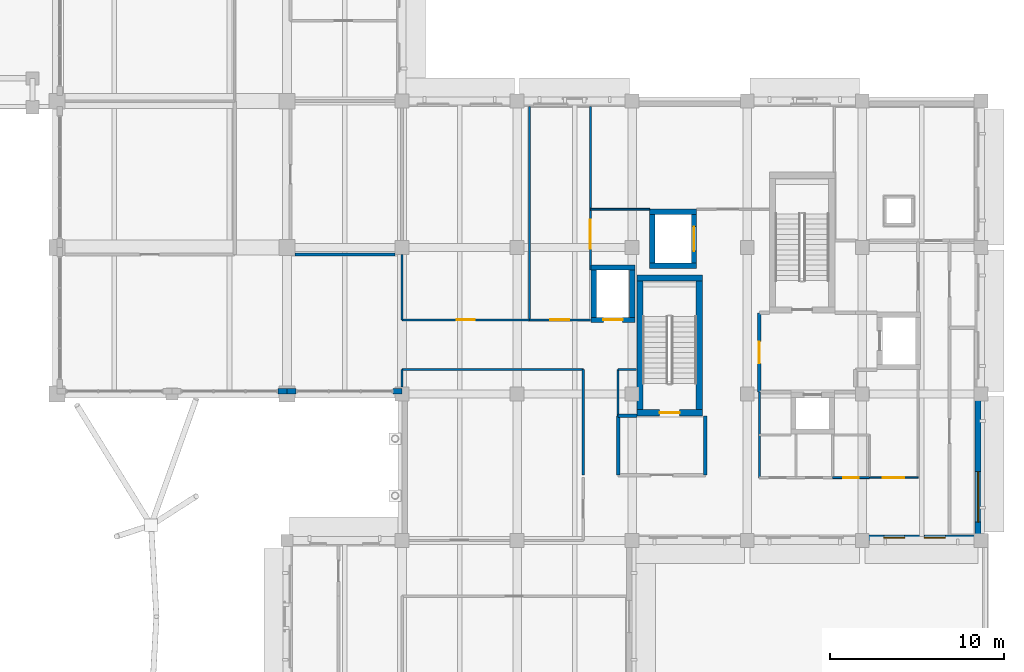
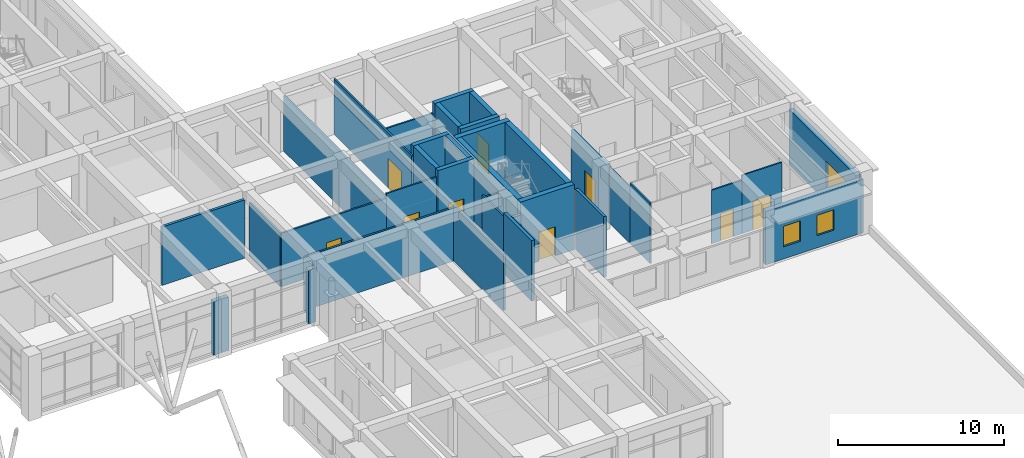
# One storey, part 53 of 75: 37 walls, 9 doors, 3 windows, 12 openings.
"""IFC4 building model written with IfcOpenShell, lengths in metres."""

from ifc_helpers import new_model, si_unit, direction, frame, frame_2d, origin, place, context, subcontext, project, spatial, rectangle, extrude, material, layer, layer_set, type_object, element, fill, save


model = new_model("IFC4")

# Units and contexts
model_context = context("Model", 3, precision=1e-05, world=origin(), true_north=direction((0.0, 1.0)))
body_context = subcontext(model_context, "Body", "Model", "MODEL_VIEW")
ifc_project = project(units=[si_unit("LENGTHUNIT", "METRE"), si_unit("AREAUNIT", "SQUARE_METRE"), si_unit("VOLUMEUNIT", "CUBIC_METRE"), si_unit("PLANEANGLEUNIT", "RADIAN"), si_unit("MASSUNIT", "GRAM", prefix="KILO")], contexts=[model_context])

# Site, building, storey
site_placement = place(None, origin())
site = spatial("IfcSite", under=ifc_project, at=site_placement, CompositionType="ELEMENT")
building_placement = place(site_placement, origin())
building = spatial("IfcBuilding", under=site, at=building_placement, Name="Kolvaren Faculty of Natural Sciences", CompositionType="ELEMENT")
storey_placement = place(building_placement, frame((0.0, 0.0, 5.39990234375)))
storey = spatial("IfcBuildingStorey", under=building, at=storey_placement, Name="L01", CompositionType="ELEMENT", Elevation=5.39990234375)

# Wall, opening, door
ifc_material_1 = material(Name="Concrete C40/50", Category="concrete")
ifc_layer_1 = layer(ifc_material_1, 0.35009765625)
ifc_layer_set_1 = layer_set([ifc_layer_1], Name="Concrete C40/50")
wall_type_1 = type_object("IfcWallType", Name="CoreShearWall_350", PredefinedType="SHEAR", material=ifc_layer_set_1)
wall_1_placement = place(storey_placement, frame((152.27490234375, 66.324951171875, 0.0), z_axis=(0.0, 0.0, 1.0), x_axis=(1.0, 0.0, 0.0)))
wall_1 = element("IfcWall", 1, at=wall_1_placement, inside=storey, type_object=wall_type_1, Name="L01 CORE-C2 stair shear wall S", PredefinedType="SHEAR", context=body_context, shape_type="SweptSolid", body=[
    extrude(rectangle(XDim=3.75, YDim=0.35009765625, at=frame_2d((1.875, 0.0))), origin(), (0.0, 0.0, 1.0), 4.800048828125),
])
opening_1_placement = place(wall_1_placement, frame((1.300048828125, 0.0, 0.0)))
opening_1 = element("IfcOpeningElement", 2, at=opening_1_placement, cuts=wall_1, Name="Opening FD90", PredefinedType="OPENING", context=body_context, shape_type="SweptSolid", body=[
    extrude(rectangle(XDim=1.14990234375, YDim=2.14990234375, at=frame_2d((0.574951171875, 1.074951171875))), frame((0.0, 0.18505859375, 0.0), z_axis=(0.0, -1.0, 0.0), x_axis=(1.0, 0.0, 0.0)), (0.0, 0.0, 1.0), 0.3701171875),
])
ifc_material_2 = material(Name="Fire-rated solid-core hardwood door leaf in steel frame", Category="steel")
door_type_1 = type_object("IfcDoorType", Name="StairCoreFireDoor_1150x2150", OperationType="NOTDEFINED", PredefinedType="DOOR", material=ifc_material_2)
door_1_placement = place(opening_1_placement, origin())
door_1 = element("IfcDoor", 3, at=door_1_placement, inside=storey, type_object=door_type_1, Name="D-ST-ST-2-L01", OperationType="SINGLE_SWING_LEFT", OverallHeight=2.14990234375, OverallWidth=1.14990234375, PredefinedType="DOOR", context=body_context, shape_type="SweptSolid", body=[
    extrude(rectangle(XDim=1.14990234375, YDim=2.14990234375, at=frame_2d((0.574951171875, 1.074951171875))), frame((0.0, 0.02490234375, 0.0), z_axis=(0.0, -1.0, 0.0), x_axis=(1.0, 0.0, 0.0)), (0.0, 0.0, 1.0), 0.050048828125),
])
fill(opening_1, door_1)

# Walls
wall_2_placement = place(storey_placement, frame((152.27490234375, 74.050048828125, 0.0), z_axis=(0.0, 0.0, 1.0), x_axis=(1.0, 0.0, 0.0)))
element("IfcWall", 4, at=wall_2_placement, inside=storey, type_object=wall_type_1, Name="L01 CORE-C2 stair shear wall N", PredefinedType="SHEAR", context=body_context, shape_type="SweptSolid", body=[
    extrude(rectangle(XDim=3.75, YDim=0.35009765625, at=frame_2d((1.875, 0.0))), origin(), (0.0, 0.0, 1.0), 4.800048828125),
])
for number, where, z_axis, x_axis, name in (
    (5, (152.449951171875, 66.5, 0.0), (0.0, 0.0, 1.0), (0.0, 1.0, 0.0), "L01 CORE-C2 stair shear wall W"),
    (6, (155.85009765625, 66.5, 0.0), (0.0, 0.0, 1.0), (0.0, 1.0, 0.0), "L01 CORE-C2 stair shear wall E"),
):
    element("IfcWall", number, at=place(storey_placement, frame(where, z_axis=z_axis, x_axis=x_axis)), inside=storey, type_object=wall_type_1, Name=name, PredefinedType="SHEAR", context=body_context, shape_type="SweptSolid", body=[
        extrude(rectangle(XDim=7.375, YDim=0.35009765625, at=frame_2d((3.6875, 0.0))), origin(), (0.0, 0.0, 1.0), 4.800048828125),
    ])

# Wall, opening, door
ifc_material_3 = material(Name="Acoustic mineral-wool insulated gypsum partition")
ifc_layer_2 = layer(ifc_material_3, 0.094970703125)
ifc_layer_set_2 = layer_set([ifc_layer_2], Name="Acoustic mineral-wool insulated gypsum partition")
wall_type_2 = type_object("IfcWallType", Name="CubiclePartition_095", PredefinedType="PARTITIONING", material=ifc_layer_set_2)
wall_3_placement = place(storey_placement, frame((168.39990234375, 62.60009765625, 0.0), z_axis=(0.0, 0.0, 1.0), x_axis=(-1.0, 0.0, 0.0)))
wall_3 = element("IfcWall", 7, at=wall_3_placement, inside=storey, type_object=wall_type_2, Name="L01 interior partition PW-095", PredefinedType="PARTITIONING", context=body_context, shape_type="SweptSolid", body=[
    extrude(rectangle(XDim=2.7998046875, YDim=0.094970703125, at=frame_2d((1.39990234375, 0.0))), origin(), (0.0, 0.0, 1.0), 4.28515625),
])
opening_2_placement = place(wall_3_placement, frame((0.780029296875, 0.0, 0.0)))
opening_2 = element("IfcOpeningElement", 8, at=opening_2_placement, cuts=wall_3, Name="Opening ID-25", PredefinedType="OPENING", context=body_context, shape_type="SweptSolid", body=[
    extrude(rectangle(XDim=1.239990234375, YDim=2.139892578125, at=frame_2d((0.6201171875, 1.06982421875))), frame((0.0, 0.057373046875, 0.0), z_axis=(0.0, -1.0, 0.0), x_axis=(1.0, 0.0, 0.0)), (0.0, 0.0, 1.0), 0.114990234375),
])
ifc_material_4 = material(Name="Solid-core hardwood veneer door leaf in steel frame", Category="steel")
door_type_2 = type_object("IfcDoorType", Name="InteriorRoomDoor_1240x2140", OperationType="NOTDEFINED", PredefinedType="DOOR", material=ifc_material_4)
door_2_placement = place(opening_2_placement, origin())
door_2 = element("IfcDoor", 9, at=door_2_placement, inside=storey, type_object=door_type_2, Name="D-L01-0161", OperationType="SINGLE_SWING_LEFT", OverallHeight=2.139892578125, OverallWidth=1.239990234375, PredefinedType="DOOR", context=body_context, shape_type="SweptSolid", body=[
    extrude(rectangle(XDim=1.239990234375, YDim=2.139892578125, at=frame_2d((0.6201171875, 1.06982421875))), frame((0.0, 0.02490234375, 0.0), z_axis=(0.0, -1.0, 0.0), x_axis=(1.0, 0.0, 0.0)), (0.0, 0.0, 1.0), 0.050048828125),
])
fill(opening_2, door_2)

# Walls
wall_4_placement = place(storey_placement, frame((159.300048828125, 65.050048828125, 0.0), z_axis=(0.0, 0.0, 1.0), x_axis=(0.0, 1.0, 0.0)))
element("IfcWall", 10, at=wall_4_placement, inside=storey, type_object=wall_type_2, Name="L01 interior partition PW-095", PredefinedType="PARTITIONING", context=body_context, shape_type="SweptSolid", body=[
    extrude(rectangle(XDim=2.449951171875, YDim=0.094970703125, at=frame_2d((1.22509765625, 0.0))), origin(), (0.0, 0.0, 1.0), 4.135009765625),
])
ifc_material_5 = material(Name="Sandstone-faced insulated cavity masonry", Category="masonry")
ifc_layer_3 = layer(ifc_material_5, 0.320068359375)
ifc_layer_set_3 = layer_set([ifc_layer_3], Name="Sandstone-faced insulated cavity masonry")
wall_type_3 = type_object("IfcWallType", Name="ExteriorCavityWall_320", PredefinedType="STANDARD", material=ifc_layer_set_3)
for number, where, z_axis, x_axis, name in (
    (11, (138.800048828125, 67.56005859375, 0.0), (0.0, 0.0, 1.0), (-1.0, 0.0, 0.0), "L01 curtain-wall pier stub 187"),
    (12, (132.719970703125, 67.56005859375, 0.0), (0.0, 0.0, 1.0), (-1.0, 0.0, 0.0), "L01 curtain-wall pier stub 188"),
    (13, (132.199951171875, 67.56005859375, 0.0), (0.0, 0.0, 1.0), (-1.0, 0.0, 0.0), "L01 curtain-wall pier stub 189"),
):
    element("IfcWall", number, at=place(storey_placement, frame(where, z_axis=z_axis, x_axis=x_axis)), inside=storey, type_object=wall_type_3, Name=name, PredefinedType="STANDARD", context=body_context, shape_type="SweptSolid", body=[
        extrude(rectangle(XDim=0.52001953125, YDim=0.320068359375, at=frame_2d((0.260009765625, 0.0))), origin(), (0.0, 0.0, 1.0), 3.93505859375),
    ])

# Wall, opening, window
wall_5_placement = place(storey_placement, frame((171.840087890625, 67.39990234375, 0.0), z_axis=(0.0, 0.0, 1.0), x_axis=(0.0, -1.0, 0.0)))
wall_5 = element("IfcWall", 14, at=wall_5_placement, inside=storey, type_object=wall_type_3, Name="L01 exterior masonry wall EW-320 (218)", PredefinedType="STANDARD", context=body_context, shape_type="SweptSolid", body=[
    extrude(rectangle(XDim=8.079833984375, YDim=0.320068359375, at=frame_2d((4.0400390625, 0.0))), origin(), (0.0, 0.0, 1.0), 4.085205078125),
])
opening_3_placement = place(wall_5_placement, frame((4.448486328125, 0.0, 0.75)))
opening_3 = element("IfcOpeningElement", 15, at=opening_3_placement, cuts=wall_5, Name="Opening WIN-12", PredefinedType="OPENING", context=body_context, shape_type="SweptSolid", body=[
    extrude(rectangle(XDim=2.89990234375, YDim=2.199951171875, at=frame_2d((1.449951171875, 1.10009765625))), frame((0.0, 0.169921875, 0.0), z_axis=(0.0, -1.0, 0.0), x_axis=(1.0, 0.0, 0.0)), (0.0, 0.0, 1.0), 0.340087890625),
])
ifc_material_6 = material(Name="Double low-E solar control insulated glazing", Category="glass")
window_type_1 = type_object("IfcWindowType", Name="AluWindow_WIN12_2900x2200", PartitioningType="SINGLE_PANEL", PredefinedType="WINDOW", material=ifc_material_6)
window_1_placement = place(opening_3_placement, origin())
window_1 = element("IfcWindow", 16, at=window_1_placement, inside=storey, type_object=window_type_1, Name="WIN-L01-0189", OverallHeight=2.199951171875, OverallWidth=2.89990234375, PartitioningType="SINGLE_PANEL", PredefinedType="WINDOW", context=body_context, shape_type="SweptSolid", body=[
    extrude(rectangle(XDim=2.89990234375, YDim=2.199951171875, at=frame_2d((1.449951171875, 1.10009765625))), frame((0.0, 0.030029296875, 0.0), z_axis=(0.0, -1.0, 0.0), x_axis=(1.0, 0.0, 0.0)), (0.0, 0.0, 1.0), 0.06005859375),
])
fill(opening_3, window_1)

# Wall, openings, windows
wall_6_placement = place(storey_placement, frame((172.0, 59.159912109375, 0.0), z_axis=(0.0, 0.0, 1.0), x_axis=(-1.0, 0.0, 0.0)))
wall_6 = element("IfcWall", 17, at=wall_6_placement, inside=storey, type_object=wall_type_3, Name="L01 exterior masonry wall EW-320 (219)", PredefinedType="STANDARD", context=body_context, shape_type="SweptSolid", body=[
    extrude(rectangle(XDim=6.800048828125, YDim=0.320068359375, at=frame_2d((3.39990234375, 0.0))), origin(), (0.0, 0.0, 1.0), 3.93505859375),
])
opening_4_placement = place(wall_6_placement, frame((2.0400390625, 0.0, 0.89990234375)))
opening_4 = element("IfcOpeningElement", 18, at=opening_4_placement, cuts=wall_6, Name="Opening WIN-13", PredefinedType="OPENING", context=body_context, shape_type="SweptSolid", body=[
    extrude(rectangle(XDim=1.199951171875, YDim=1.5, at=frame_2d((0.60009765625, 0.75))), frame((0.0, 0.169921875, 0.0), z_axis=(0.0, -1.0, 0.0), x_axis=(1.0, 0.0, 0.0)), (0.0, 0.0, 1.0), 0.340087890625),
])
opening_5_placement = place(wall_6_placement, frame((4.364013671875, 0.0, 0.89990234375)))
opening_5 = element("IfcOpeningElement", 19, at=opening_5_placement, cuts=wall_6, Name="Opening WIN-13", PredefinedType="OPENING", context=body_context, shape_type="SweptSolid", body=[
    extrude(rectangle(XDim=1.199951171875, YDim=1.5, at=frame_2d((0.60009765625, 0.75))), frame((0.0, 0.169921875, 0.0), z_axis=(0.0, -1.0, 0.0), x_axis=(1.0, 0.0, 0.0)), (0.0, 0.0, 1.0), 0.340087890625),
])
window_type_2 = type_object("IfcWindowType", Name="AluWindow_WIN13_1200x1500", PartitioningType="SINGLE_PANEL", PredefinedType="WINDOW", material=ifc_material_6)
window_2_placement = place(opening_4_placement, origin())
window_2 = element("IfcWindow", 20, at=window_2_placement, inside=storey, type_object=window_type_2, Name="WIN-L01-0190", OverallHeight=1.5, OverallWidth=1.199951171875, PartitioningType="SINGLE_PANEL", PredefinedType="WINDOW", context=body_context, shape_type="SweptSolid", body=[
    extrude(rectangle(XDim=1.199951171875, YDim=1.5, at=frame_2d((0.60009765625, 0.75))), frame((0.0, 0.030029296875, 0.0), z_axis=(0.0, -1.0, 0.0), x_axis=(1.0, 0.0, 0.0)), (0.0, 0.0, 1.0), 0.06005859375),
])
fill(opening_4, window_2)
window_3_placement = place(opening_5_placement, origin())
window_3 = element("IfcWindow", 21, at=window_3_placement, inside=storey, type_object=window_type_2, Name="WIN-L01-0191", OverallHeight=1.5, OverallWidth=1.199951171875, PartitioningType="SINGLE_PANEL", PredefinedType="WINDOW", context=body_context, shape_type="SweptSolid", body=[
    extrude(rectangle(XDim=1.199951171875, YDim=1.5, at=frame_2d((0.60009765625, 0.75))), frame((0.0, 0.030029296875, 0.0), z_axis=(0.0, -1.0, 0.0), x_axis=(1.0, 0.0, 0.0)), (0.0, 0.0, 1.0), 0.06005859375),
])
fill(opening_5, window_3)

# Wall, opening, door
ifc_material_7 = material(Name="Autoclaved aerated fire-rated masonry blockwork", Category="masonry")
ifc_layer_4 = layer(ifc_material_7, 0.199951171875)
ifc_layer_set_4 = layer_set([ifc_layer_4], Name="Autoclaved aerated fire-rated masonry blockwork")
wall_type_4 = type_object("IfcWallType", Name="FireLobbyWall_200", PredefinedType="PARTITIONING", material=ifc_layer_set_4)
wall_7_placement = place(storey_placement, frame((159.300048828125, 67.5, 0.0), z_axis=(0.0, 0.0, 1.0), x_axis=(0.0, 1.0, 0.0)))
wall_7 = element("IfcWall", 22, at=wall_7_placement, inside=storey, type_object=wall_type_4, Name="L01 interior partition FW-200", PredefinedType="PARTITIONING", context=body_context, shape_type="SweptSolid", body=[
    extrude(rectangle(XDim=4.550048828125, YDim=0.199951171875, at=frame_2d((2.27490234375, 0.0))), origin(), (0.0, 0.0, 1.0), 4.135009765625),
])
opening_6_placement = place(wall_7_placement, frame((1.64990234375, 0.0, 0.0)))
opening_6 = element("IfcOpeningElement", 23, at=opening_6_placement, cuts=wall_7, Name="Opening FD60", PredefinedType="OPENING", context=body_context, shape_type="SweptSolid", body=[
    extrude(rectangle(XDim=1.25, YDim=2.14990234375, at=frame_2d((0.625, 1.074951171875))), frame((0.0, 0.10986328125, 0.0), z_axis=(0.0, -1.0, 0.0), x_axis=(1.0, 0.0, 0.0)), (0.0, 0.0, 1.0), 0.219970703125),
])
door_type_3 = type_object("IfcDoorType", Name="RescueLobbyFireDoor_1250x2150", OperationType="NOTDEFINED", PredefinedType="DOOR", material=ifc_material_2)
door_3_placement = place(opening_6_placement, origin())
door_3 = element("IfcDoor", 24, at=door_3_placement, inside=storey, type_object=door_type_3, Name="D-L01-0103", OperationType="SINGLE_SWING_LEFT", OverallHeight=2.14990234375, OverallWidth=1.25, PredefinedType="DOOR", context=body_context, shape_type="SweptSolid", body=[
    extrude(rectangle(XDim=1.25, YDim=2.14990234375, at=frame_2d((0.625, 1.074951171875))), frame((0.0, 0.02490234375, 0.0), z_axis=(0.0, -1.0, 0.0), x_axis=(1.0, 0.0, 0.0)), (0.0, 0.0, 1.0), 0.050048828125),
])
fill(opening_6, door_3)

# Walls
wall_8_placement = place(storey_placement, frame((151.199951171875, 66.14990234375, 0.0), z_axis=(0.0, 0.0, 1.0), x_axis=(1.0, 0.0, 0.0)))
element("IfcWall", 25, at=wall_8_placement, inside=storey, type_object=wall_type_4, Name="L01 interior partition FW-200", PredefinedType="PARTITIONING", context=body_context, shape_type="SweptSolid", body=[
    extrude(rectangle(XDim=1.074951171875, YDim=0.199951171875, at=frame_2d((0.53759765625, 0.0))), origin(), (0.0, 0.0, 1.0), 3.93505859375),
])
for number, where, z_axis, x_axis, name in (
    (26, (156.199951171875, 66.14990234375, 0.0), (0.0, 0.0, 1.0), (0.0, -1.0, 0.0), "L01 interior partition FW-200"),
    (27, (151.199951171875, 62.75, 0.0), (0.0, 0.0, 1.0), (0.0, 1.0, 0.0), "L01 interior partition FW-200"),
):
    element("IfcWall", number, at=place(storey_placement, frame(where, z_axis=z_axis, x_axis=x_axis)), inside=storey, type_object=wall_type_4, Name=name, PredefinedType="PARTITIONING", context=body_context, shape_type="SweptSolid", body=[
        extrude(rectangle(XDim=3.39990234375, YDim=0.199951171875, at=frame_2d((1.699951171875, 0.0))), origin(), (0.0, 0.0, 1.0), 4.445068359375),
    ])
ifc_layer_5 = layer(ifc_material_3, 0.179931640625)
ifc_layer_set_5 = layer_set([ifc_layer_5], Name="Acoustic mineral-wool insulated gypsum partition")
wall_type_5 = type_object("IfcWallType", Name="LabPartitionWall_180", PredefinedType="PARTITIONING", material=ifc_layer_set_5)
wall_9_placement = place(storey_placement, frame((138.39990234375, 75.39990234375, 0.0), z_axis=(0.0, 0.0, 1.0), x_axis=(-1.0, 0.0, 0.0)))
element("IfcWall", 28, at=wall_9_placement, inside=storey, type_object=wall_type_5, Name="L01 interior partition PW-180", PredefinedType="PARTITIONING", context=body_context, shape_type="SweptSolid", body=[
    extrude(rectangle(XDim=5.75, YDim=0.179931640625, at=frame_2d((2.875, 0.0))), origin(), (0.0, 0.0, 1.0), 4.28515625),
])
ifc_layer_6 = layer(ifc_material_3, 0.1298828125)
ifc_layer_set_6 = layer_set([ifc_layer_6], Name="Acoustic mineral-wool insulated gypsum partition")
wall_type_6 = type_object("IfcWallType", Name="OfficePartitionWall_130", PredefinedType="PARTITIONING", material=ifc_layer_set_6)
wall_10_placement = place(storey_placement, frame((149.199951171875, 68.800048828125, 0.0), z_axis=(0.0, 0.0, 1.0), x_axis=(0.0, -1.0, 0.0)))
element("IfcWall", 29, at=wall_10_placement, inside=storey, type_object=wall_type_6, Name="L01 interior partition PW-130", PredefinedType="PARTITIONING", context=body_context, shape_type="SweptSolid", body=[
    extrude(rectangle(XDim=6.050048828125, YDim=0.1298828125, at=frame_2d((3.02490234375, 0.0))), origin(), (0.0, 0.0, 1.0), 4.135009765625),
])
wall_11_placement = place(storey_placement, frame((138.800048828125, 67.800048828125, 0.0), z_axis=(0.0, 0.0, 1.0), x_axis=(0.0, 1.0, 0.0)))
element("IfcWall", 30, at=wall_11_placement, inside=storey, type_object=wall_type_6, Name="L01 interior partition PW-130", PredefinedType="PARTITIONING", context=body_context, shape_type="SweptSolid", body=[
    extrude(rectangle(XDim=1.0, YDim=0.1298828125, at=frame_2d((0.5, 0.0))), origin(), (0.0, 0.0, 1.0), 3.93505859375),
])
wall_12_placement = place(storey_placement, frame((138.800048828125, 68.800048828125, 0.0), z_axis=(0.0, 0.0, 1.0), x_axis=(1.0, 0.0, 0.0)))
element("IfcWall", 31, at=wall_12_placement, inside=storey, type_object=wall_type_6, Name="L01 interior partition PW-130", PredefinedType="PARTITIONING", context=body_context, shape_type="SweptSolid", body=[
    extrude(rectangle(XDim=10.39990234375, YDim=0.1298828125, at=frame_2d((5.199951171875, 0.0))), origin(), (0.0, 0.0, 1.0), 3.93505859375),
])

# Wall, opening, door
ifc_layer_7 = layer(ifc_material_1, 0.300048828125)
ifc_layer_set_7 = layer_set([ifc_layer_7], Name="Concrete C40/50")
wall_type_7 = type_object("IfcWallType", Name="ShaftShearWall_300", PredefinedType="SHEAR", material=ifc_layer_set_7)
wall_13_placement = place(storey_placement, frame((149.64990234375, 71.64990234375, 0.0), z_axis=(0.0, 0.0, 1.0), x_axis=(1.0, 0.0, 0.0)))
wall_13 = element("IfcWall", 32, at=wall_13_placement, inside=storey, type_object=wall_type_7, Name="L01 lift FL-2 shaft wall S", PredefinedType="SHEAR", context=body_context, shape_type="SweptSolid", body=[
    extrude(rectangle(XDim=2.5, YDim=0.300048828125, at=frame_2d((1.25, 0.0))), origin(), (0.0, 0.0, 1.0), 4.800048828125),
])
opening_7_placement = place(wall_13_placement, frame((0.699951171875, 0.0, 0.0)))
opening_7 = element("IfcOpeningElement", 33, at=opening_7_placement, cuts=wall_13, Name="Opening LD-01", PredefinedType="OPENING", context=body_context, shape_type="SweptSolid", body=[
    extrude(rectangle(XDim=1.10009765625, YDim=2.10009765625, at=frame_2d((0.550048828125, 1.050048828125))), frame((0.0, 0.159912109375, 0.0), z_axis=(0.0, -1.0, 0.0), x_axis=(1.0, 0.0, 0.0)), (0.0, 0.0, 1.0), 0.320068359375),
])
ifc_material_8 = material(Name="Brushed stainless steel lift car and sliding door assembly", Category="steel")
door_type_4 = type_object("IfcDoorType", Name="LiftLandingSliding_1100x2100", OperationType="DOUBLE_DOOR_SLIDING", PredefinedType="DOOR", material=ifc_material_8)
door_4_placement = place(opening_7_placement, origin())
door_4 = element("IfcDoor", 34, at=door_4_placement, inside=storey, type_object=door_type_4, Name="D-LIFT-FL-2-L01", OperationType="DOUBLE_DOOR_SLIDING", OverallHeight=2.10009765625, OverallWidth=1.10009765625, PredefinedType="DOOR", context=body_context, shape_type="SweptSolid", body=[
    extrude(rectangle(XDim=1.10009765625, YDim=2.10009765625, at=frame_2d((0.550048828125, 1.050048828125))), frame((0.0, 0.02490234375, 0.0), z_axis=(0.0, -1.0, 0.0), x_axis=(1.0, 0.0, 0.0)), (0.0, 0.0, 1.0), 0.050048828125),
])
fill(opening_7, door_4)

# Walls
wall_14_placement = place(storey_placement, frame((149.64990234375, 74.64990234375, 0.0), z_axis=(0.0, 0.0, 1.0), x_axis=(1.0, 0.0, 0.0)))
element("IfcWall", 35, at=wall_14_placement, inside=storey, type_object=wall_type_7, Name="L01 lift FL-2 shaft wall N", PredefinedType="SHEAR", context=body_context, shape_type="SweptSolid", body=[
    extrude(rectangle(XDim=2.5, YDim=0.300048828125, at=frame_2d((1.25, 0.0))), origin(), (0.0, 0.0, 1.0), 4.800048828125),
])
for number, where, z_axis, x_axis, name in (
    (36, (149.800048828125, 71.800048828125, 0.0), (0.0, 0.0, 1.0), (0.0, 1.0, 0.0), "L01 lift FL-2 shaft wall W"),
    (37, (152.0, 71.800048828125, 0.0), (0.0, 0.0, 1.0), (0.0, 1.0, 0.0), "L01 lift FL-2 shaft wall E"),
    (38, (153.0, 74.75, 0.0), (0.0, 0.0, 1.0), (1.0, 0.0, 0.0), "L01 lift GL-2 shaft wall S"),
    (39, (153.0, 77.85009765625, 0.0), (0.0, 0.0, 1.0), (1.0, 0.0, 0.0), "L01 lift GL-2 shaft wall N"),
):
    element("IfcWall", number, at=place(storey_placement, frame(where, z_axis=z_axis, x_axis=x_axis)), inside=storey, type_object=wall_type_7, Name=name, PredefinedType="SHEAR", context=body_context, shape_type="SweptSolid", body=[
        extrude(rectangle(XDim=2.699951171875, YDim=0.300048828125, at=frame_2d((1.35009765625, 0.0))), origin(), (0.0, 0.0, 1.0), 4.800048828125),
    ])
wall_15_placement = place(storey_placement, frame((153.14990234375, 74.89990234375, 0.0), z_axis=(0.0, 0.0, 1.0), x_axis=(0.0, 1.0, 0.0)))
element("IfcWall", 40, at=wall_15_placement, inside=storey, type_object=wall_type_7, Name="L01 lift GL-2 shaft wall W", PredefinedType="SHEAR", context=body_context, shape_type="SweptSolid", body=[
    extrude(rectangle(XDim=2.800048828125, YDim=0.300048828125, at=frame_2d((1.39990234375, 0.0))), origin(), (0.0, 0.0, 1.0), 4.800048828125),
])

# Wall, opening, door
wall_16_placement = place(storey_placement, frame((155.550048828125, 74.89990234375, 0.0), z_axis=(0.0, 0.0, 1.0), x_axis=(0.0, 1.0, 0.0)))
wall_16 = element("IfcWall", 41, at=wall_16_placement, inside=storey, type_object=wall_type_7, Name="L01 lift GL-2 shaft wall E", PredefinedType="SHEAR", context=body_context, shape_type="SweptSolid", body=[
    extrude(rectangle(XDim=2.800048828125, YDim=0.300048828125, at=frame_2d((1.39990234375, 0.0))), origin(), (0.0, 0.0, 1.0), 4.800048828125),
])
opening_8_placement = place(wall_16_placement, frame((0.699951171875, 0.0, 0.0)))
opening_8 = element("IfcOpeningElement", 42, at=opening_8_placement, cuts=wall_16, Name="Opening LD-03", PredefinedType="OPENING", context=body_context, shape_type="SweptSolid", body=[
    extrude(rectangle(XDim=1.39990234375, YDim=2.199951171875, at=frame_2d((0.699951171875, 1.10009765625))), frame((0.0, 0.159912109375, 0.0), z_axis=(0.0, -1.0, 0.0), x_axis=(1.0, 0.0, 0.0)), (0.0, 0.0, 1.0), 0.320068359375),
])
door_type_5 = type_object("IfcDoorType", Name="GoodsLiftSliding_1400x2200", OperationType="DOUBLE_DOOR_SLIDING", PredefinedType="DOOR", material=ifc_material_8)
door_5_placement = place(opening_8_placement, origin())
door_5 = element("IfcDoor", 43, at=door_5_placement, inside=storey, type_object=door_type_5, Name="D-LIFT-GL-2-L01", OperationType="DOUBLE_DOOR_SLIDING", OverallHeight=2.199951171875, OverallWidth=1.39990234375, PredefinedType="DOOR", context=body_context, shape_type="SweptSolid", body=[
    extrude(rectangle(XDim=1.39990234375, YDim=2.199951171875, at=frame_2d((0.699951171875, 1.10009765625))), frame((0.0, 0.02490234375, 0.0), z_axis=(0.0, -1.0, 0.0), x_axis=(1.0, 0.0, 0.0)), (0.0, 0.0, 1.0), 0.050048828125),
])
fill(opening_8, door_5)

ifc_layer_8 = layer(ifc_material_3, 0.114990234375)
ifc_layer_set_8 = layer_set([ifc_layer_8], Name="Acoustic mineral-wool insulated gypsum partition")
wall_type_8 = type_object("IfcWallType", Name="StorePartitionWall_115", PredefinedType="PARTITIONING", material=ifc_layer_set_8)
wall_17_placement = place(storey_placement, frame((149.60009765625, 83.8779296875, 0.0), z_axis=(0.0, 0.0, 1.0), x_axis=(0.0, -1.0, 0.0)))
wall_17 = element("IfcWall", 44, at=wall_17_placement, inside=storey, type_object=wall_type_8, Name="L01 interior partition PW-115", PredefinedType="PARTITIONING", context=body_context, shape_type="SweptSolid", body=[
    extrude(rectangle(XDim=9.3779296875, YDim=0.114990234375, at=frame_2d((4.68896484375, 0.0))), origin(), (0.0, 0.0, 1.0), 4.085205078125),
])
opening_9_placement = place(wall_17_placement, frame((6.494873046875, 0.0, 0.0)))
opening_9 = element("IfcOpeningElement", 45, at=opening_9_placement, cuts=wall_17, Name="Opening ID-34", PredefinedType="OPENING", context=body_context, shape_type="SweptSolid", body=[
    extrude(rectangle(XDim=1.639892578125, YDim=2.199951171875, at=frame_2d((0.81982421875, 1.10009765625))), frame((0.0, 0.0673828125, 0.0), z_axis=(0.0, -1.0, 0.0), x_axis=(1.0, 0.0, 0.0)), (0.0, 0.0, 1.0), 0.135009765625),
])
ifc_material_9 = material(Name="Thermally broken anodised aluminium glazed door", Category="aluminium")
door_type_6 = type_object("IfcDoorType", Name="InteriorRoomDoor_1640x2200", OperationType="DOUBLE_DOOR_SINGLE_SWING", PredefinedType="DOOR", material=ifc_material_9)
door_6_placement = place(opening_9_placement, origin())
door_6 = element("IfcDoor", 46, at=door_6_placement, inside=storey, type_object=door_type_6, Name="D-L01-0170", OperationType="DOUBLE_DOOR_SINGLE_SWING", OverallHeight=2.199951171875, OverallWidth=1.639892578125, PredefinedType="DOOR", context=body_context, shape_type="SweptSolid", body=[
    extrude(rectangle(XDim=1.639892578125, YDim=2.199951171875, at=frame_2d((0.81982421875, 1.10009765625))), frame((0.0, 0.02490234375, 0.0), z_axis=(0.0, -1.0, 0.0), x_axis=(1.0, 0.0, 0.0)), (0.0, 0.0, 1.0), 0.050048828125),
])
fill(opening_9, door_6)

wall_18_placement = place(storey_placement, frame((149.60009765625, 71.64990234375, 0.0), z_axis=(0.0, 0.0, 1.0), x_axis=(-1.0, 0.0, 0.0)))
wall_18 = element("IfcWall", 47, at=wall_18_placement, inside=storey, type_object=wall_type_8, Name="L01 interior partition PW-115", PredefinedType="PARTITIONING", context=body_context, shape_type="SweptSolid", body=[
    extrude(rectangle(XDim=3.5, YDim=0.114990234375, at=frame_2d((1.75, 0.0))), origin(), (0.0, 0.0, 1.0), 4.28515625),
])
opening_10_placement = place(wall_18_placement, frame((1.2099609375, 0.0, 0.0)))
opening_10 = element("IfcOpeningElement", 48, at=opening_10_placement, cuts=wall_18, Name="Opening ID-23", PredefinedType="OPENING", context=body_context, shape_type="SweptSolid", body=[
    extrude(rectangle(XDim=1.080078125, YDim=2.139892578125, at=frame_2d((0.5400390625, 1.06982421875))), frame((0.0, 0.0673828125, 0.0), z_axis=(0.0, -1.0, 0.0), x_axis=(1.0, 0.0, 0.0)), (0.0, 0.0, 1.0), 0.135009765625),
])
door_type_7 = type_object("IfcDoorType", Name="InteriorRoomDoor_1080x2140", OperationType="NOTDEFINED", PredefinedType="DOOR", material=ifc_material_4)
door_7_placement = place(opening_10_placement, origin())
door_7 = element("IfcDoor", 49, at=door_7_placement, inside=storey, type_object=door_type_7, Name="D-L01-0159", OperationType="SINGLE_SWING_LEFT", OverallHeight=2.139892578125, OverallWidth=1.080078125, PredefinedType="DOOR", context=body_context, shape_type="SweptSolid", body=[
    extrude(rectangle(XDim=1.080078125, YDim=2.139892578125, at=frame_2d((0.5400390625, 1.06982421875))), frame((0.0, 0.02490234375, 0.0), z_axis=(0.0, -1.0, 0.0), x_axis=(1.0, 0.0, 0.0)), (0.0, 0.0, 1.0), 0.050048828125),
])
fill(opening_10, door_7)

# Walls
wall_19_placement = place(storey_placement, frame((151.199951171875, 66.14990234375, 0.0), z_axis=(0.0, 0.0, 1.0), x_axis=(0.0, 1.0, 0.0)))
element("IfcWall", 50, at=wall_19_placement, inside=storey, type_object=wall_type_8, Name="L01 interior partition PW-115", PredefinedType="PARTITIONING", context=body_context, shape_type="SweptSolid", body=[
    extrude(rectangle(XDim=2.650146484375, YDim=0.114990234375, at=frame_2d((1.3251953125, 0.0))), origin(), (0.0, 0.0, 1.0), 4.135009765625),
])
wall_20_placement = place(storey_placement, frame((151.199951171875, 68.800048828125, 0.0), z_axis=(0.0, 0.0, 1.0), x_axis=(1.0, 0.0, 0.0)))
element("IfcWall", 51, at=wall_20_placement, inside=storey, type_object=wall_type_8, Name="L01 interior partition PW-115", PredefinedType="PARTITIONING", context=body_context, shape_type="SweptSolid", body=[
    extrude(rectangle(XDim=1.050048828125, YDim=0.114990234375, at=frame_2d((0.52490234375, 0.0))), origin(), (0.0, 0.0, 1.0), 3.93505859375),
])
ifc_layer_9 = layer(ifc_material_3, 0.1201171875)
ifc_layer_set_9 = layer_set([ifc_layer_9], Name="Acoustic mineral-wool insulated gypsum partition")
wall_type_9 = type_object("IfcWallType", Name="StudioPartitionWall_120", PredefinedType="PARTITIONING", material=ifc_layer_set_9)
wall_21_placement = place(storey_placement, frame((138.800048828125, 71.64990234375, 0.0), z_axis=(0.0, 0.0, 1.0), x_axis=(0.0, 1.0, 0.0)))
element("IfcWall", 52, at=wall_21_placement, inside=storey, type_object=wall_type_9, Name="L01 interior partition PW-120", PredefinedType="PARTITIONING", context=body_context, shape_type="SweptSolid", body=[
    extrude(rectangle(XDim=3.75, YDim=0.1201171875, at=frame_2d((1.875, 0.0))), origin(), (0.0, 0.0, 1.0), 3.93505859375),
])
wall_22_placement = place(storey_placement, frame((146.10009765625, 83.8779296875, 0.0), z_axis=(0.0, 0.0, 1.0), x_axis=(0.0, -1.0, 0.0)))
element("IfcWall", 53, at=wall_22_placement, inside=storey, type_object=wall_type_9, Name="L01 interior partition PW-120", PredefinedType="PARTITIONING", context=body_context, shape_type="SweptSolid", body=[
    extrude(rectangle(XDim=12.22802734375, YDim=0.1201171875, at=frame_2d((6.114013671875, 0.0))), origin(), (0.0, 0.0, 1.0), 4.085205078125),
])

# Wall, opening, door
wall_23_placement = place(storey_placement, frame((146.10009765625, 71.64990234375, 0.0), z_axis=(0.0, 0.0, 1.0), x_axis=(-1.0, 0.0, 0.0)))
wall_23 = element("IfcWall", 54, at=wall_23_placement, inside=storey, type_object=wall_type_9, Name="L01 interior partition PW-120", PredefinedType="PARTITIONING", context=body_context, shape_type="SweptSolid", body=[
    extrude(rectangle(XDim=7.300048828125, YDim=0.1201171875, at=frame_2d((3.64990234375, 0.0))), origin(), (0.0, 0.0, 1.0), 3.93505859375),
])
opening_11_placement = place(wall_23_placement, frame((3.1298828125, 0.0, 0.0)))
opening_11 = element("IfcOpeningElement", 55, at=opening_11_placement, cuts=wall_23, Name="Opening ID-22", PredefinedType="OPENING", context=body_context, shape_type="SweptSolid", body=[
    extrude(rectangle(XDim=1.0400390625, YDim=2.139892578125, at=frame_2d((0.52001953125, 1.06982421875))), frame((0.0, 0.070068359375, 0.0), z_axis=(0.0, -1.0, 0.0), x_axis=(1.0, 0.0, 0.0)), (0.0, 0.0, 1.0), 0.14013671875),
])
door_type_8 = type_object("IfcDoorType", Name="InteriorRoomDoor_1040x2140", OperationType="NOTDEFINED", PredefinedType="DOOR", material=ifc_material_4)
door_8_placement = place(opening_11_placement, origin())
door_8 = element("IfcDoor", 56, at=door_8_placement, inside=storey, type_object=door_type_8, Name="D-L01-0158", OperationType="SINGLE_SWING_RIGHT", OverallHeight=2.139892578125, OverallWidth=1.0400390625, PredefinedType="DOOR", context=body_context, shape_type="SweptSolid", body=[
    extrude(rectangle(XDim=1.0400390625, YDim=2.139892578125, at=frame_2d((0.52001953125, 1.06982421875))), frame((0.0, 0.02490234375, 0.0), z_axis=(0.0, -1.0, 0.0), x_axis=(1.0, 0.0, 0.0)), (0.0, 0.0, 1.0), 0.050048828125),
])
fill(opening_11, door_8)

# Wall
ifc_layer_10 = layer(ifc_material_3, 0.10498046875)
ifc_layer_set_10 = layer_set([ifc_layer_10], Name="Acoustic mineral-wool insulated gypsum partition")
wall_type_10 = type_object("IfcWallType", Name="WetRoomPartition_105", PredefinedType="PARTITIONING", material=ifc_layer_set_10)
wall_24_placement = place(storey_placement, frame((159.300048828125, 62.60009765625, 0.0), z_axis=(0.0, 0.0, 1.0), x_axis=(0.0, 1.0, 0.0)))
element("IfcWall", 57, at=wall_24_placement, inside=storey, type_object=wall_type_10, Name="L01 interior partition PW-105", PredefinedType="PARTITIONING", context=body_context, shape_type="SweptSolid", body=[
    extrude(rectangle(XDim=2.449951171875, YDim=0.10498046875, at=frame_2d((1.22509765625, 0.0))), origin(), (0.0, 0.0, 1.0), 4.445068359375),
])

# Wall, opening, door
wall_25_placement = place(storey_placement, frame((165.60009765625, 62.60009765625, 0.0), z_axis=(0.0, 0.0, 1.0), x_axis=(-1.0, 0.0, 0.0)))
wall_25 = element("IfcWall", 58, at=wall_25_placement, inside=storey, type_object=wall_type_10, Name="L01 interior partition PW-105", PredefinedType="PARTITIONING", context=body_context, shape_type="SweptSolid", body=[
    extrude(rectangle(XDim=2.10009765625, YDim=0.10498046875, at=frame_2d((1.050048828125, 0.0))), origin(), (0.0, 0.0, 1.0), 3.93505859375),
])
opening_12_placement = place(wall_25_placement, frame((0.60009765625, 0.0, 0.0)))
opening_12 = element("IfcOpeningElement", 59, at=opening_12_placement, cuts=wall_25, Name="Opening ID-01", PredefinedType="OPENING", context=body_context, shape_type="SweptSolid", body=[
    extrude(rectangle(XDim=0.89990234375, YDim=2.02001953125, at=frame_2d((0.449951171875, 1.010009765625))), frame((0.0, 0.0625, 0.0), z_axis=(0.0, -1.0, 0.0), x_axis=(1.0, 0.0, 0.0)), (0.0, 0.0, 1.0), 0.125),
])
door_type_9 = type_object("IfcDoorType", Name="InteriorRoomDoor_900x2020", OperationType="NOTDEFINED", PredefinedType="DOOR", material=ifc_material_4)
door_9_placement = place(opening_12_placement, origin())
door_9 = element("IfcDoor", 60, at=door_9_placement, inside=storey, type_object=door_type_9, Name="D-L01-0113", OperationType="SINGLE_SWING_LEFT", OverallHeight=2.02001953125, OverallWidth=0.89990234375, PredefinedType="DOOR", context=body_context, shape_type="SweptSolid", body=[
    extrude(rectangle(XDim=0.89990234375, YDim=2.02001953125, at=frame_2d((0.449951171875, 1.010009765625))), frame((0.0, 0.02490234375, 0.0), z_axis=(0.0, -1.0, 0.0), x_axis=(1.0, 0.0, 0.0)), (0.0, 0.0, 1.0), 0.050048828125),
])
fill(opening_12, door_9)

# Wall
wall_26_placement = place(storey_placement, frame((153.0, 78.0, 0.0), z_axis=(0.0, 0.0, 1.0), x_axis=(-1.0, 0.0, 0.0)))
element("IfcWall", 61, at=wall_26_placement, inside=storey, type_object=wall_type_10, Name="L01 interior partition PW-105", PredefinedType="PARTITIONING", context=body_context, shape_type="SweptSolid", body=[
    extrude(rectangle(XDim=3.39990234375, YDim=0.10498046875, at=frame_2d((1.699951171875, 0.0))), origin(), (0.0, 0.0, 1.0), 3.93505859375),
])

save(model, "model.ifc")
